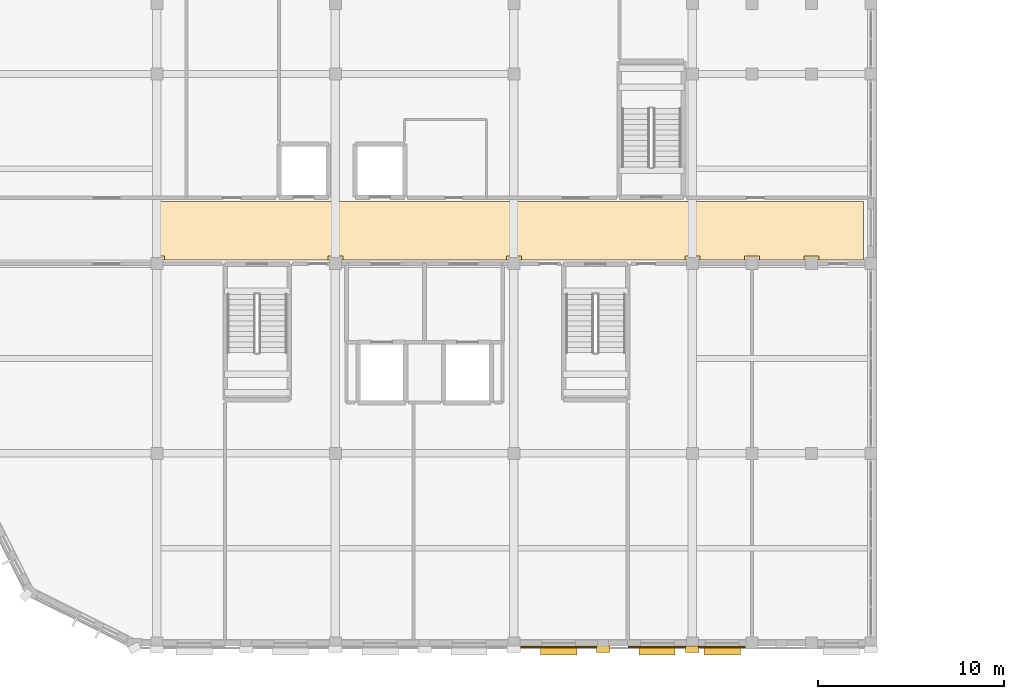
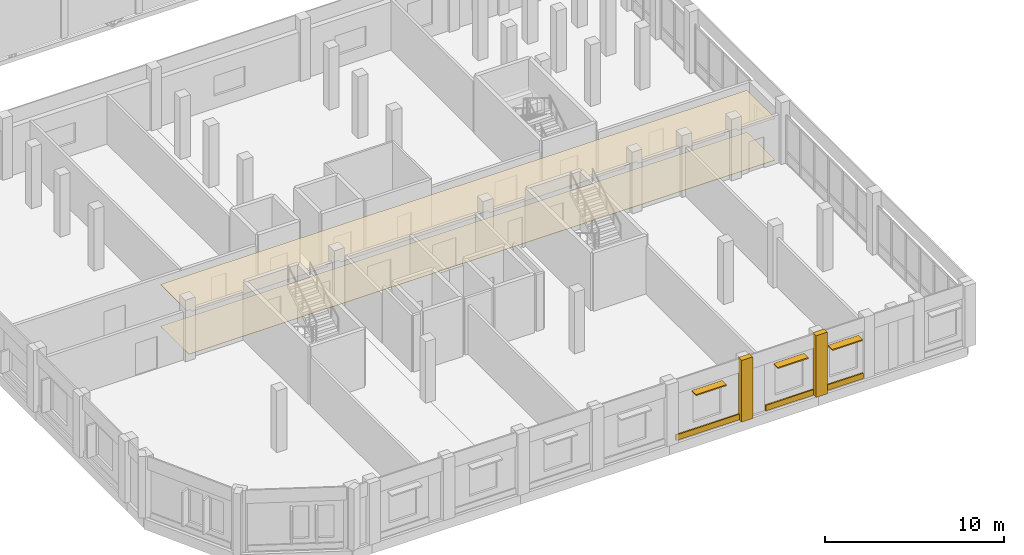
# One storey, part 190 of 200: 7 coverings, 3 shading devices.
"""IFC4 building model written with IfcOpenShell, lengths in metres."""

from ifc_helpers import new_model, si_unit, direction, frame, origin, origin_2d, place, context, subcontext, project, spatial, polyline, rectangle, outline, extrude, material, layer, layer_set, type_object, element, save


model = new_model("IFC4")

# Units and contexts
model_context = context("Model", 3, precision=1e-05, world=origin(), true_north=direction((0.0, 1.0)))
body_context = subcontext(model_context, "Body", "Model", "MODEL_VIEW")
ifc_project = project(units=[si_unit("LENGTHUNIT", "METRE"), si_unit("AREAUNIT", "SQUARE_METRE"), si_unit("VOLUMEUNIT", "CUBIC_METRE"), si_unit("PLANEANGLEUNIT", "RADIAN"), si_unit("MASSUNIT", "GRAM", prefix="KILO")], contexts=[model_context])

# Site, building, storey
site_placement = place(None, origin())
site = spatial("IfcSite", under=ifc_project, at=site_placement, CompositionType="ELEMENT")
building_placement = place(site_placement, origin())
building = spatial("IfcBuilding", under=site, at=building_placement, Name="Vondelvale Polytechnic", CompositionType="ELEMENT")
storey_placement = place(building_placement, frame((0.0, 0.0, 13.800048828125)))
storey = spatial("IfcBuildingStorey", under=building, at=storey_placement, Name="L03", CompositionType="ELEMENT", Elevation=13.800048828125)

# Coverings
ifc_material_1 = material(Name="Amsterdam School iron-spot clinker clay brickwork", Category="masonry")
ifc_layer_1 = layer(ifc_material_1, 0.090087890625)
ifc_layer_set_1 = layer_set([ifc_layer_1], Name="COV-BRICK-RELIEF")
covering_type_1 = type_object("IfcCoveringType", Name="COV-BRICK-RELIEF", PredefinedType="CLADDING", material=ifc_layer_set_1)
covering_1_placement = place(storey_placement, frame((31.21240234375, -0.2109375, 0.0), z_axis=(0.0, 0.0, 1.0), x_axis=(-1.0, 0.0, 0.0)))
element("IfcCovering", 1, at=covering_1_placement, inside=storey, type_object=covering_type_1, Name="L03 exterior corbelled masonry relief band", PredefinedType="CLADDING", context=body_context, shape_type="SweptSolid", body=[
    extrude(rectangle(XDim=4.113037109375, YDim=0.090087890625, at=origin_2d()), origin(), (0.0, 0.0, 1.0), 0.3798828125),
])
covering_2_placement = place(storey_placement, frame((36.49951171875, -0.2109375, 0.0), z_axis=(0.0, 0.0, 1.0), x_axis=(-1.0, 0.0, 0.0)))
element("IfcCovering", 2, at=covering_2_placement, inside=storey, type_object=covering_type_1, Name="L03 exterior corbelled masonry relief band", PredefinedType="CLADDING", context=body_context, shape_type="SweptSolid", body=[
    extrude(rectangle(XDim=3.089111328125, YDim=0.090087890625, at=origin_2d()), origin(), (0.0, 0.0, 1.0), 0.3798828125),
])
covering_3_placement = place(storey_placement, frame((40.0, -0.2109375, 0.0), z_axis=(0.0, 0.0, 1.0), x_axis=(-1.0, 0.0, 0.0)))
element("IfcCovering", 3, at=covering_3_placement, inside=storey, type_object=covering_type_1, Name="L03 exterior corbelled masonry relief band", PredefinedType="CLADDING", context=body_context, shape_type="SweptSolid", body=[
    extrude(rectangle(XDim=2.488037109375, YDim=0.090087890625, at=origin_2d()), origin(), (0.0, 0.0, 1.0), 0.3798828125),
])
for number, where, z_axis, x_axis, name in (
    (4, (33.60009765625, -0.340087890625, 0.0), (0.0, 0.0, 1.0), (1.0, 0.0, 0.0), "L03 Classical street pilaster"),
    (5, (38.39990234375, -0.340087890625, 0.0), (0.0, 0.0, 1.0), (1.0, 0.0, 0.0), "L03 Classical street pilaster"),
):
    element("IfcCovering", number, at=place(storey_placement, frame(where, z_axis=z_axis, x_axis=x_axis)), inside=storey, type_object=covering_type_1, Name=name, PredefinedType="CLADDING", context=body_context, shape_type="SweptSolid", body=[
        extrude(rectangle(XDim=0.719970703125, YDim=0.360107421875, at=origin_2d()), origin(), (0.0, 0.0, 1.0), 4.199951171875),
    ])
ifc_material_2 = material(Name="Perforated acoustic mineral-fibre and timber-batten ceiling", Category="wood")
ifc_layer_2 = layer(ifc_material_2, 0.030029296875)
ifc_layer_set_2 = layer_set([ifc_layer_2], Name="COV-CEIL-ACOUSTIC")
covering_type_2 = type_object("IfcCoveringType", Name="COV-CEIL-ACOUSTIC", PredefinedType="CEILING", material=ifc_layer_set_2)
covering_4_placement = place(storey_placement, frame((0.0, 0.0, 2.849853515625)))
element("IfcCovering", 6, at=covering_4_placement, inside=storey, type_object=covering_type_2, Name="L03 corridor acoustic baffle ceiling", PredefinedType="CEILING", context=body_context, shape_type="SweptSolid", body=[
    extrude(outline(polyline([(10.0048828125, 20.60009765625), (10.0048828125, 20.804931640625), (9.800048828125, 20.804931640625), (9.800048828125, 23.75), (47.60009765625, 23.75), (47.60009765625, 20.804931640625), (47.594970703125, 20.804931640625), (47.594970703125, 20.60009765625), (45.205078125, 20.60009765625), (45.205078125, 20.804931640625), (44.39501953125, 20.804931640625), (44.39501953125, 20.60009765625), (42.0048828125, 20.60009765625), (42.0048828125, 20.804931640625), (41.195068359375, 20.804931640625), (41.195068359375, 20.60009765625), (38.804931640625, 20.60009765625), (38.804931640625, 20.804931640625), (37.9951171875, 20.804931640625), (37.9951171875, 20.60009765625), (29.205078125, 20.60009765625), (29.205078125, 20.804931640625), (28.39501953125, 20.804931640625), (28.39501953125, 20.60009765625), (19.60498046875, 20.60009765625), (19.60498046875, 20.804931640625), (18.794921875, 20.804931640625), (18.794921875, 20.60009765625), (10.0048828125, 20.60009765625)])), origin(), (0.0, 0.0, 1.0), 0.030029296875),
])
ifc_material_3 = material(Name="Engineered Tasmanian oak studio and bridge joinery")
ifc_layer_3 = layer(ifc_material_3, 0.02197265625)
ifc_layer_set_3 = layer_set([ifc_layer_3], Name="COV-FLOOR-OAK")
covering_type_3 = type_object("IfcCoveringType", Name="COV-FLOOR-OAK", PredefinedType="FLOORING", material=ifc_layer_set_3)
covering_5_placement = place(storey_placement, origin())
element("IfcCovering", 7, at=covering_5_placement, inside=storey, type_object=covering_type_3, Name="L03 architectural floor finish", PredefinedType="FLOORING", context=body_context, shape_type="SweptSolid", body=[
    extrude(outline(polyline([(9.800048828125, 20.60009765625), (47.60009765625, 20.60009765625), (47.60009765625, 23.75), (9.800048828125, 23.75), (9.800048828125, 20.60009765625)])), origin(), (0.0, 0.0, 1.0), 0.02490234375),
])

# Shading devices
ifc_material_4 = material(Name="Anodised extruded aluminium 6063-T6", Category="aluminium")
shading_device_type = type_object("IfcShadingDeviceType", Name="SHD-BRONZE-LOUVRE", PredefinedType="SHUTTER", material=ifc_material_4)
for number, where, z_axis, x_axis, name in (
    (8, (31.21240234375, -0.39501953125, 2.907470703125), (0.0, 0.0, 1.0), (-1.0, 0.0, 0.0), "L03 horizontal bronze sun-louvre overhang"),
    (9, (36.49951171875, -0.39501953125, 2.907470703125), (0.0, 0.0, 1.0), (-1.0, 0.0, 0.0), "L03 horizontal bronze sun-louvre overhang"),
    (10, (40.0, -0.39501953125, 2.907470703125), (0.0, 0.0, 1.0), (-1.0, 0.0, 0.0), "L03 horizontal bronze sun-louvre overhang"),
):
    element("IfcShadingDevice", number, at=place(storey_placement, frame(where, z_axis=z_axis, x_axis=x_axis)), inside=storey, type_object=shading_device_type, Name=name, PredefinedType="SHUTTER", context=body_context, shape_type="SweptSolid", body=[
        extrude(rectangle(XDim=1.9599609375, YDim=0.47998046875, at=origin_2d()), origin(), (0.0, 0.0, 1.0), 0.0849609375),
    ])

save(model, "model.ifc")
